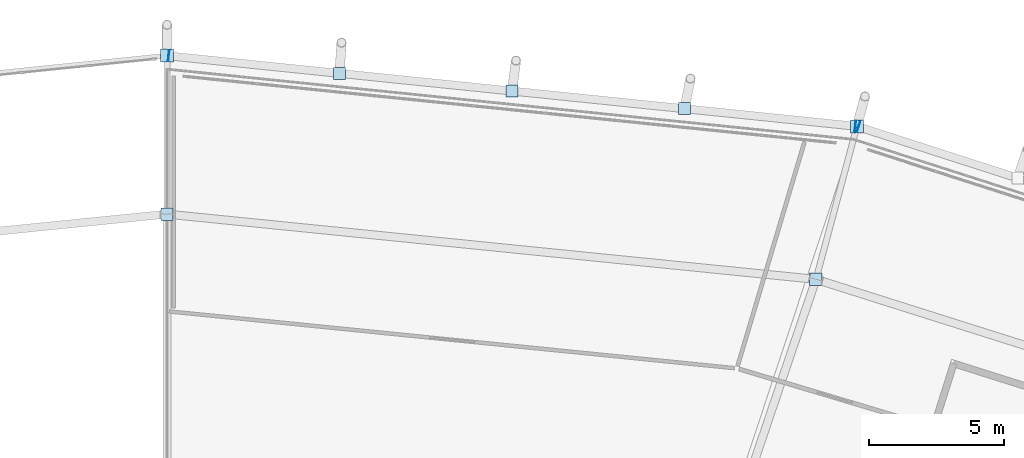
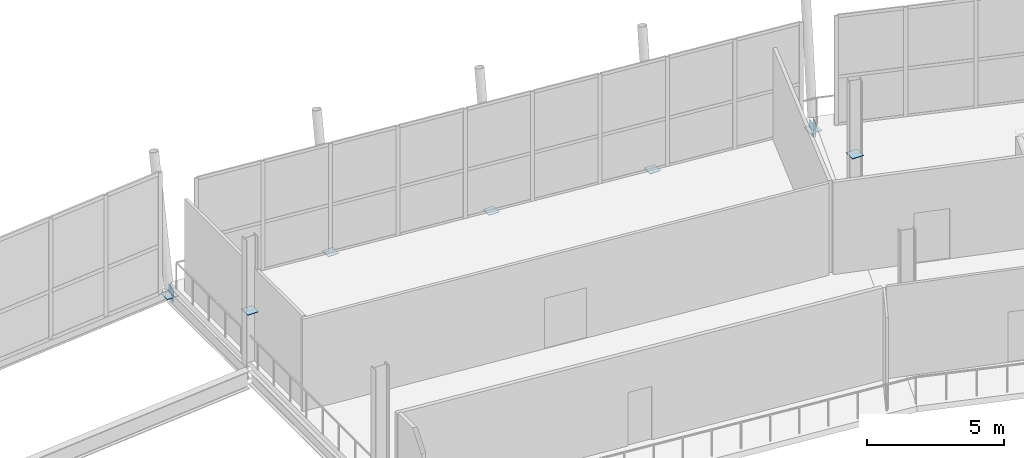
# One storey, part 79 of 99: 10 plates.
"""IFC4 building model written with IfcOpenShell, lengths in metres."""

from ifc_helpers import new_model, si_unit, direction, frame, origin, origin_2d, place, context, subcontext, project, spatial, rectangle, extrude, material, layer, layer_set, type_object, element, save


model = new_model("IFC4")

# Units and contexts
model_context = context("Model", 3, precision=1e-05, world=origin(), true_north=direction((0.0, 1.0)))
body_context = subcontext(model_context, "Body", "Model", "MODEL_VIEW")
ifc_project = project(units=[si_unit("LENGTHUNIT", "METRE"), si_unit("AREAUNIT", "SQUARE_METRE"), si_unit("VOLUMEUNIT", "CUBIC_METRE"), si_unit("PLANEANGLEUNIT", "RADIAN"), si_unit("MASSUNIT", "GRAM", prefix="KILO")], contexts=[model_context])

# Site, building, storey
site_placement = place(None, origin())
site = spatial("IfcSite", under=ifc_project, at=site_placement, CompositionType="ELEMENT")
building_placement = place(site_placement, origin())
building = spatial("IfcBuilding", under=site, at=building_placement, Name="Zlatoyarsky Gate Stadium", CompositionType="ELEMENT")
storey_placement = place(building_placement, frame((0.0, 0.0, 26.199951171875)))
storey = spatial("IfcBuildingStorey", under=building, at=storey_placement, Name="L05", CompositionType="ELEMENT", Elevation=26.199951171875)

# Plates
ifc_material = material(Name="Steel S355", Category="steel")
ifc_layer = layer(ifc_material, 0.02392578125)
ifc_layer_set = layer_set([ifc_layer], Name="Steel S355")
plate_type = type_object("IfcPlateType", Name="STEEL HOLLOW CHORD SPLICE SHEET 24", PredefinedType="SHEET", material=ifc_layer_set)
for number, where, z_axis, x_axis, name in (
    (1, (136.648681640625, 154.239990234375, -0.81005859375), (0.0, 0.0, 1.0), (-0.951856313904, 0.306544544365, 0.0), "Hollow end cap ND-SP1 CAP-L05-SPD-04 B"),
    (2, (136.53173828125, 154.2646484375, -0.81005859375), (0.0, 0.0, 1.0), (-0.994801813444, 0.101830015071, 0.0), "Hollow end cap ND-SP1 CAP-L05-SPD-05 A"),
    (3, (111.059814453125, 156.8720703125, -0.81005859375), (0.0, 0.0, 1.0), (-0.994801813444, 0.101830015071, 0.0), "Hollow end cap ND-SP1 CAP-L05-SPD-05 B"),
):
    element("IfcPlate", number, at=place(storey_placement, frame(where, z_axis=z_axis, x_axis=x_axis)), inside=storey, type_object=plate_type, Name=name, PredefinedType="SHEET", context=body_context, shape_type="SweptSolid", body=[
        extrude(rectangle(XDim=0.02392578125, YDim=0.39990234375, at=origin_2d()), origin(), (0.0, 0.0, 1.0), 0.60009765625),
    ])
for number, where, z_axis, x_axis, name in (
    (4, (136.591552734375, 154.258544921875, -0.572021484375), (0.0, 0.0, 1.0), (1.0, 0.0, 0.0), "Node closure plate ND-SP1 NCAP-L05-RSTR-05"),
    (5, (111.0, 156.878173828125, -0.572021484375), (0.0, 0.0, 1.0), (1.0, 0.0, 0.0), "Node closure plate ND-SP1 NCAP-L05-RSTR-06"),
):
    element("IfcPlate", number, at=place(storey_placement, frame(where, z_axis=z_axis, x_axis=x_axis)), inside=storey, type_object=plate_type, Name=name, PredefinedType="SHEET", context=body_context, shape_type="SweptSolid", body=[
        extrude(rectangle(XDim=0.47998046875, YDim=0.47998046875, at=origin_2d()), origin(), (0.0, 0.0, 1.0), 0.02392578125),
    ])
for number, where, z_axis, x_axis, name in (
    (6, (130.193603515625, 154.913330078125, -0.52197265625), (0.0, 0.0, 1.0), (1.0, 0.0, 0.0), "Node closure plate ND-SP1 NCAP-RIB-05-1-3T"),
    (7, (123.795654296875, 155.568359375, -0.52197265625), (0.0, 0.0, 1.0), (1.0, 0.0, 0.0), "Node closure plate ND-SP1 NCAP-RIB-05-2-3T"),
    (8, (117.39794921875, 156.22314453125, -0.52197265625), (0.0, 0.0, 1.0), (1.0, 0.0, 0.0), "Node closure plate ND-SP1 NCAP-RIB-05-3-3T"),
):
    element("IfcPlate", number, at=place(storey_placement, frame(where, z_axis=z_axis, x_axis=x_axis)), inside=storey, type_object=plate_type, Name=name, PredefinedType="SHEET", context=body_context, shape_type="SweptSolid", body=[
        extrude(rectangle(XDim=0.43994140625, YDim=0.43994140625, at=origin_2d()), origin(), (0.0, 0.0, 1.0), 0.02392578125),
    ])
for number, where, z_axis, x_axis, name in (
    (9, (135.0703125, 148.580810546875, 2.2880859375), (0.0, 0.0, 1.0), (1.0, 0.0, 0.0), "Node closure plate ND-SP1 NCAP-BPROP-05"),
    (10, (111.0, 151.0, 2.2880859375), (0.0, 0.0, 1.0), (1.0, 0.0, 0.0), "Node closure plate ND-SP1 NCAP-BPROP-06"),
):
    element("IfcPlate", number, at=place(storey_placement, frame(where, z_axis=z_axis, x_axis=x_axis)), inside=storey, type_object=plate_type, Name=name, PredefinedType="SHEET", context=body_context, shape_type="SweptSolid", body=[
        extrude(rectangle(XDim=0.4599609375, YDim=0.4599609375, at=origin_2d()), origin(), (0.0, 0.0, 1.0), 0.02392578125),
    ])

save(model, "model.ifc")
